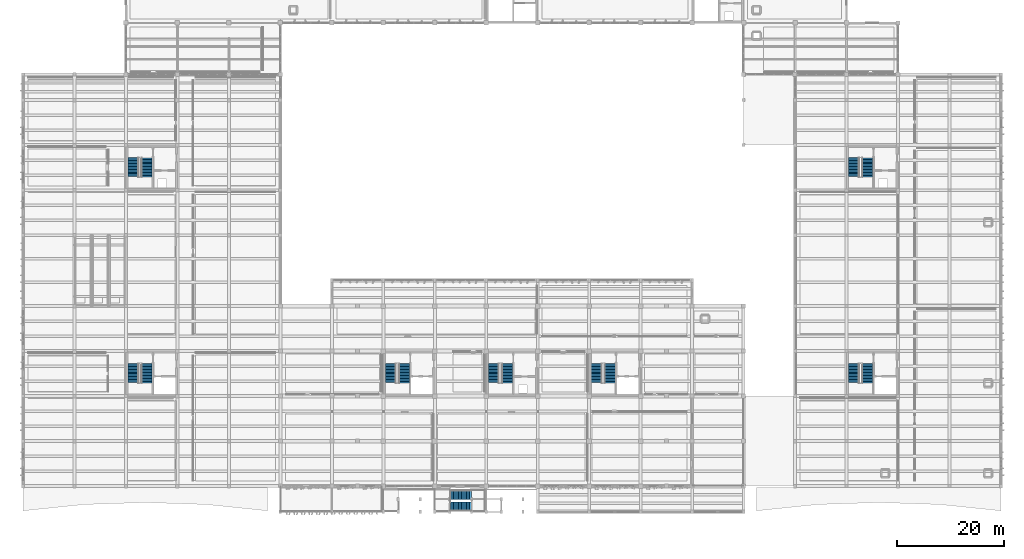
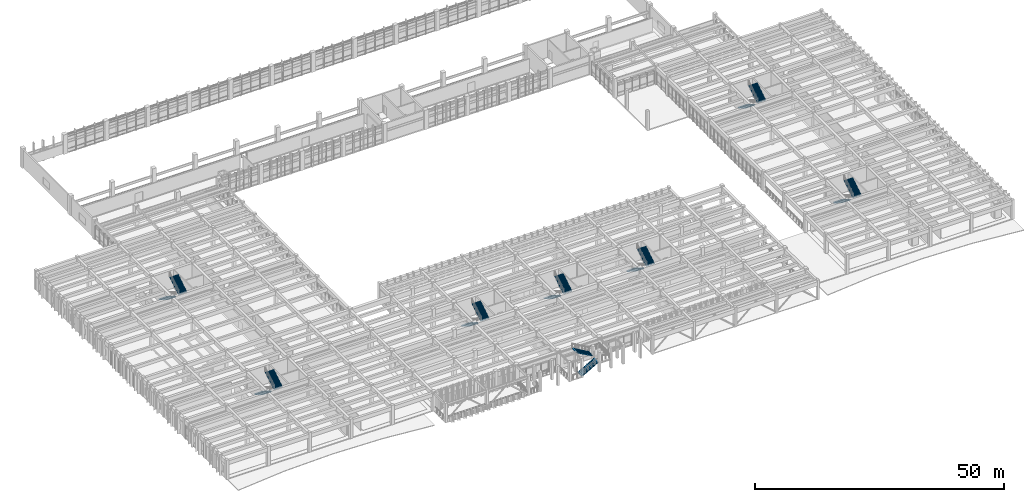
# One storey, part 72 of 86: 16 stair flights, 8 elements without a shape of their own.
"""IFC4 building model written with IfcOpenShell, lengths in metres."""

from ifc_helpers import new_model, si_unit, direction, frame, origin, place, context, subcontext, project, spatial, polyline, outline, extrude, material, type_object, element, aggregate, save


model = new_model("IFC4")

# Units and contexts
model_context = context("Model", 3, precision=1e-05, world=origin(), true_north=direction((0.0, 1.0)))
body_context = subcontext(model_context, "Body", "Model", "MODEL_VIEW")
ifc_project = project(units=[si_unit("LENGTHUNIT", "METRE"), si_unit("AREAUNIT", "SQUARE_METRE"), si_unit("VOLUMEUNIT", "CUBIC_METRE"), si_unit("PLANEANGLEUNIT", "RADIAN"), si_unit("MASSUNIT", "GRAM", prefix="KILO")], contexts=[model_context])

# Site, building, storey
site_placement = place(None, origin())
site = spatial("IfcSite", under=ifc_project, at=site_placement, CompositionType="ELEMENT")
building_placement = place(site_placement, origin())
building = spatial("IfcBuilding", under=site, at=building_placement, Name="Kolvemor Railside Polytechnic", CompositionType="ELEMENT")
storey_placement = place(building_placement, frame((0.0, 0.0, 5.39990234375)))
storey = spatial("IfcBuildingStorey", under=building, at=storey_placement, Name="L01", CompositionType="ELEMENT", Elevation=5.39990234375)

# Stair, stair flights
ifc_material_1 = material(Name="Concrete C40/50", Category="concrete")
stair_type_1 = type_object("IfcStairType", Name="STR-CORE-480", PredefinedType="HALF_TURN_STAIR", material=ifc_material_1)
stair_1_placement = place(storey_placement, origin())
stair_1 = element("IfcStair", 1, at=stair_1_placement, inside=storey, type_object=stair_type_1, Name="Core Stair ST-1 (L01 to L02)", PredefinedType="HALF_TURN_STAIR")
ifc_material_2 = material(Name="Concrete C40/50", Category="concrete")
stair_flight_type_1 = type_object("IfcStairFlightType", Name="SFL-RC-200", PredefinedType="STRAIGHT", material=ifc_material_2)
stair_flight_1_placement = place(storey_placement, frame((68.580078125, 27.699951171875, 0.0), z_axis=(0.0, 0.0, 1.0), x_axis=(0.0, -1.0, 0.0)))
stair_flight_1 = element("IfcStairFlight", 2, at=stair_flight_1_placement, type_object=stair_flight_type_1, Name="ST-1-L01 flight 1", NumberOfRisers=14, NumberOfTreads=13, PredefinedType="STRAIGHT", RiserHeight=0.171428571, TreadLength=0.275, context=body_context, shape_type="SweptSolid", body=[
    extrude(outline(polyline([(0.0, 0.0), (0.0, 0.17138671875), (0.27490234375, 0.17138671875), (0.27490234375, 0.3427734375), (0.550048828125, 0.3427734375), (0.550048828125, 0.514404296875), (0.824951171875, 0.514404296875), (0.824951171875, 0.685791015625), (1.10009765625, 0.685791015625), (1.10009765625, 0.857177734375), (1.375, 0.857177734375), (1.375, 1.028564453125), (1.64990234375, 1.028564453125), (1.64990234375, 1.199951171875), (1.925048828125, 1.199951171875), (1.925048828125, 1.371337890625), (2.199951171875, 1.371337890625), (2.199951171875, 1.54296875), (2.47509765625, 1.54296875), (2.47509765625, 1.71435546875), (2.75, 1.71435546875), (2.75, 1.8857421875), (3.02490234375, 1.8857421875), (3.02490234375, 2.05712890625), (3.300048828125, 2.05712890625), (3.300048828125, 2.228515625), (3.574951171875, 2.228515625), (3.574951171875, 2.39990234375), (3.574951171875, 2.0166015625), (0.340087890625, 0.0), (0.0, 0.0)])), frame((0.0, 1.0, 0.0), z_axis=(0.0, -1.0, 0.0), x_axis=(1.0, 0.0, 0.0)), (0.0, 0.0, 1.0), 2.0),
])
stair_flight_2_placement = place(storey_placement, frame((71.080078125, 24.06494140625, 2.400146484375), z_axis=(0.0, 0.0, 1.0), x_axis=(0.0, 1.0, 0.0)))
stair_flight_2 = element("IfcStairFlight", 3, at=stair_flight_2_placement, type_object=stair_flight_type_1, Name="ST-1-L01 flight 2", NumberOfRisers=14, NumberOfTreads=13, PredefinedType="STRAIGHT", RiserHeight=0.171428571, TreadLength=0.275, context=body_context, shape_type="SweptSolid", body=[
    extrude(outline(polyline([(0.0, 0.0), (0.0, 0.17138671875), (0.27490234375, 0.17138671875), (0.27490234375, 0.3427734375), (0.550048828125, 0.3427734375), (0.550048828125, 0.514404296875), (0.824951171875, 0.514404296875), (0.824951171875, 0.685791015625), (1.10009765625, 0.685791015625), (1.10009765625, 0.857177734375), (1.375, 0.857177734375), (1.375, 1.028564453125), (1.64990234375, 1.028564453125), (1.64990234375, 1.199951171875), (1.925048828125, 1.199951171875), (1.925048828125, 1.371337890625), (2.199951171875, 1.371337890625), (2.199951171875, 1.54296875), (2.47509765625, 1.54296875), (2.47509765625, 1.71435546875), (2.75, 1.71435546875), (2.75, 1.8857421875), (3.02490234375, 1.8857421875), (3.02490234375, 2.05712890625), (3.300048828125, 2.05712890625), (3.300048828125, 2.228515625), (3.574951171875, 2.228515625), (3.574951171875, 2.39990234375), (3.574951171875, 2.0166015625), (0.340087890625, 0.0), (0.0, 0.0)])), frame((0.0, 1.0, 0.0), z_axis=(0.0, -1.0, 0.0), x_axis=(1.0, 0.0, 0.0)), (0.0, 0.0, 1.0), 2.0),
])
aggregate(stair_1, [stair_flight_1, stair_flight_2])

stair_2_placement = place(storey_placement, origin())
stair_2 = element("IfcStair", 4, at=stair_2_placement, inside=storey, type_object=stair_type_1, Name="Core Stair ST-2 (L01 to L02)", PredefinedType="HALF_TURN_STAIR")
stair_flight_3_placement = place(storey_placement, frame((106.97998046875, 27.699951171875, 0.0), z_axis=(0.0, 0.0, 1.0), x_axis=(0.0, -1.0, 0.0)))
stair_flight_3 = element("IfcStairFlight", 5, at=stair_flight_3_placement, type_object=stair_flight_type_1, Name="ST-2-L01 flight 1", NumberOfRisers=14, NumberOfTreads=13, PredefinedType="STRAIGHT", RiserHeight=0.171428571, TreadLength=0.275, context=body_context, shape_type="SweptSolid", body=[
    extrude(outline(polyline([(0.0, 0.0), (0.0, 0.17138671875), (0.27490234375, 0.17138671875), (0.27490234375, 0.3427734375), (0.550048828125, 0.3427734375), (0.550048828125, 0.514404296875), (0.824951171875, 0.514404296875), (0.824951171875, 0.685791015625), (1.10009765625, 0.685791015625), (1.10009765625, 0.857177734375), (1.375, 0.857177734375), (1.375, 1.028564453125), (1.64990234375, 1.028564453125), (1.64990234375, 1.199951171875), (1.925048828125, 1.199951171875), (1.925048828125, 1.371337890625), (2.199951171875, 1.371337890625), (2.199951171875, 1.54296875), (2.47509765625, 1.54296875), (2.47509765625, 1.71435546875), (2.75, 1.71435546875), (2.75, 1.8857421875), (3.02490234375, 1.8857421875), (3.02490234375, 2.05712890625), (3.300048828125, 2.05712890625), (3.300048828125, 2.228515625), (3.574951171875, 2.228515625), (3.574951171875, 2.39990234375), (3.574951171875, 2.0166015625), (0.340087890625, 0.0), (0.0, 0.0)])), frame((0.0, 1.0, 0.0), z_axis=(0.0, -1.0, 0.0), x_axis=(1.0, 0.0, 0.0)), (0.0, 0.0, 1.0), 2.0),
])
stair_flight_4_placement = place(storey_placement, frame((109.47998046875, 24.06494140625, 2.400146484375), z_axis=(0.0, 0.0, 1.0), x_axis=(0.0, 1.0, 0.0)))
stair_flight_4 = element("IfcStairFlight", 6, at=stair_flight_4_placement, type_object=stair_flight_type_1, Name="ST-2-L01 flight 2", NumberOfRisers=14, NumberOfTreads=13, PredefinedType="STRAIGHT", RiserHeight=0.171428571, TreadLength=0.275, context=body_context, shape_type="SweptSolid", body=[
    extrude(outline(polyline([(0.0, 0.0), (0.0, 0.17138671875), (0.27490234375, 0.17138671875), (0.27490234375, 0.3427734375), (0.550048828125, 0.3427734375), (0.550048828125, 0.514404296875), (0.824951171875, 0.514404296875), (0.824951171875, 0.685791015625), (1.10009765625, 0.685791015625), (1.10009765625, 0.857177734375), (1.375, 0.857177734375), (1.375, 1.028564453125), (1.64990234375, 1.028564453125), (1.64990234375, 1.199951171875), (1.925048828125, 1.199951171875), (1.925048828125, 1.371337890625), (2.199951171875, 1.371337890625), (2.199951171875, 1.54296875), (2.47509765625, 1.54296875), (2.47509765625, 1.71435546875), (2.75, 1.71435546875), (2.75, 1.8857421875), (3.02490234375, 1.8857421875), (3.02490234375, 2.05712890625), (3.300048828125, 2.05712890625), (3.300048828125, 2.228515625), (3.574951171875, 2.228515625), (3.574951171875, 2.39990234375), (3.574951171875, 2.0166015625), (0.340087890625, 0.0), (0.0, 0.0)])), frame((0.0, 1.0, 0.0), z_axis=(0.0, -1.0, 0.0), x_axis=(1.0, 0.0, 0.0)), (0.0, 0.0, 1.0), 2.0),
])
aggregate(stair_2, [stair_flight_3, stair_flight_4])

stair_3_placement = place(storey_placement, origin())
stair_3 = element("IfcStair", 7, at=stair_3_placement, inside=storey, type_object=stair_type_1, Name="Core Stair ST-3 (L01 to L02)", PredefinedType="HALF_TURN_STAIR")
stair_flight_5_placement = place(storey_placement, frame((87.780029296875, 27.699951171875, 0.0), z_axis=(0.0, 0.0, 1.0), x_axis=(0.0, -1.0, 0.0)))
stair_flight_5 = element("IfcStairFlight", 8, at=stair_flight_5_placement, type_object=stair_flight_type_1, Name="ST-3-L01 flight 1", NumberOfRisers=14, NumberOfTreads=13, PredefinedType="STRAIGHT", RiserHeight=0.171428571, TreadLength=0.275, context=body_context, shape_type="SweptSolid", body=[
    extrude(outline(polyline([(0.0, 0.0), (0.0, 0.17138671875), (0.27490234375, 0.17138671875), (0.27490234375, 0.3427734375), (0.550048828125, 0.3427734375), (0.550048828125, 0.514404296875), (0.824951171875, 0.514404296875), (0.824951171875, 0.685791015625), (1.10009765625, 0.685791015625), (1.10009765625, 0.857177734375), (1.375, 0.857177734375), (1.375, 1.028564453125), (1.64990234375, 1.028564453125), (1.64990234375, 1.199951171875), (1.925048828125, 1.199951171875), (1.925048828125, 1.371337890625), (2.199951171875, 1.371337890625), (2.199951171875, 1.54296875), (2.47509765625, 1.54296875), (2.47509765625, 1.71435546875), (2.75, 1.71435546875), (2.75, 1.8857421875), (3.02490234375, 1.8857421875), (3.02490234375, 2.05712890625), (3.300048828125, 2.05712890625), (3.300048828125, 2.228515625), (3.574951171875, 2.228515625), (3.574951171875, 2.39990234375), (3.574951171875, 2.0166015625), (0.340087890625, 0.0), (0.0, 0.0)])), frame((0.0, 1.0, 0.0), z_axis=(0.0, -1.0, 0.0), x_axis=(1.0, 0.0, 0.0)), (0.0, 0.0, 1.0), 2.0),
])
stair_flight_6_placement = place(storey_placement, frame((90.280029296875, 24.06494140625, 2.400146484375), z_axis=(0.0, 0.0, 1.0), x_axis=(0.0, 1.0, 0.0)))
stair_flight_6 = element("IfcStairFlight", 9, at=stair_flight_6_placement, type_object=stair_flight_type_1, Name="ST-3-L01 flight 2", NumberOfRisers=14, NumberOfTreads=13, PredefinedType="STRAIGHT", RiserHeight=0.171428571, TreadLength=0.275, context=body_context, shape_type="SweptSolid", body=[
    extrude(outline(polyline([(0.0, 0.0), (0.0, 0.17138671875), (0.27490234375, 0.17138671875), (0.27490234375, 0.3427734375), (0.550048828125, 0.3427734375), (0.550048828125, 0.514404296875), (0.824951171875, 0.514404296875), (0.824951171875, 0.685791015625), (1.10009765625, 0.685791015625), (1.10009765625, 0.857177734375), (1.375, 0.857177734375), (1.375, 1.028564453125), (1.64990234375, 1.028564453125), (1.64990234375, 1.199951171875), (1.925048828125, 1.199951171875), (1.925048828125, 1.371337890625), (2.199951171875, 1.371337890625), (2.199951171875, 1.54296875), (2.47509765625, 1.54296875), (2.47509765625, 1.71435546875), (2.75, 1.71435546875), (2.75, 1.8857421875), (3.02490234375, 1.8857421875), (3.02490234375, 2.05712890625), (3.300048828125, 2.05712890625), (3.300048828125, 2.228515625), (3.574951171875, 2.228515625), (3.574951171875, 2.39990234375), (3.574951171875, 2.0166015625), (0.340087890625, 0.0), (0.0, 0.0)])), frame((0.0, 1.0, 0.0), z_axis=(0.0, -1.0, 0.0), x_axis=(1.0, 0.0, 0.0)), (0.0, 0.0, 1.0), 2.0),
])
aggregate(stair_3, [stair_flight_5, stair_flight_6])

stair_4_placement = place(storey_placement, origin())
stair_4 = element("IfcStair", 10, at=stair_4_placement, inside=storey, type_object=stair_type_1, Name="Core Stair ST-4 (L01 to L02)", PredefinedType="HALF_TURN_STAIR")
stair_flight_7_placement = place(storey_placement, frame((20.580078125, 27.699951171875, 0.0), z_axis=(0.0, 0.0, 1.0), x_axis=(0.0, -1.0, 0.0)))
stair_flight_7 = element("IfcStairFlight", 11, at=stair_flight_7_placement, type_object=stair_flight_type_1, Name="ST-4-L01 flight 1", NumberOfRisers=14, NumberOfTreads=13, PredefinedType="STRAIGHT", RiserHeight=0.171428571, TreadLength=0.275, context=body_context, shape_type="SweptSolid", body=[
    extrude(outline(polyline([(0.0, 0.0), (0.0, 0.17138671875), (0.27490234375, 0.17138671875), (0.27490234375, 0.3427734375), (0.550048828125, 0.3427734375), (0.550048828125, 0.514404296875), (0.824951171875, 0.514404296875), (0.824951171875, 0.685791015625), (1.10009765625, 0.685791015625), (1.10009765625, 0.857177734375), (1.375, 0.857177734375), (1.375, 1.028564453125), (1.64990234375, 1.028564453125), (1.64990234375, 1.199951171875), (1.925048828125, 1.199951171875), (1.925048828125, 1.371337890625), (2.199951171875, 1.371337890625), (2.199951171875, 1.54296875), (2.47509765625, 1.54296875), (2.47509765625, 1.71435546875), (2.75, 1.71435546875), (2.75, 1.8857421875), (3.02490234375, 1.8857421875), (3.02490234375, 2.05712890625), (3.300048828125, 2.05712890625), (3.300048828125, 2.228515625), (3.574951171875, 2.228515625), (3.574951171875, 2.39990234375), (3.574951171875, 2.0166015625), (0.340087890625, 0.0), (0.0, 0.0)])), frame((0.0, 1.0, 0.0), z_axis=(0.0, -1.0, 0.0), x_axis=(1.0, 0.0, 0.0)), (0.0, 0.0, 1.0), 2.0),
])
stair_flight_8_placement = place(storey_placement, frame((23.080078125, 24.06494140625, 2.400146484375), z_axis=(0.0, 0.0, 1.0), x_axis=(0.0, 1.0, 0.0)))
stair_flight_8 = element("IfcStairFlight", 12, at=stair_flight_8_placement, type_object=stair_flight_type_1, Name="ST-4-L01 flight 2", NumberOfRisers=14, NumberOfTreads=13, PredefinedType="STRAIGHT", RiserHeight=0.171428571, TreadLength=0.275, context=body_context, shape_type="SweptSolid", body=[
    extrude(outline(polyline([(0.0, 0.0), (0.0, 0.17138671875), (0.27490234375, 0.17138671875), (0.27490234375, 0.3427734375), (0.550048828125, 0.3427734375), (0.550048828125, 0.514404296875), (0.824951171875, 0.514404296875), (0.824951171875, 0.685791015625), (1.10009765625, 0.685791015625), (1.10009765625, 0.857177734375), (1.375, 0.857177734375), (1.375, 1.028564453125), (1.64990234375, 1.028564453125), (1.64990234375, 1.199951171875), (1.925048828125, 1.199951171875), (1.925048828125, 1.371337890625), (2.199951171875, 1.371337890625), (2.199951171875, 1.54296875), (2.47509765625, 1.54296875), (2.47509765625, 1.71435546875), (2.75, 1.71435546875), (2.75, 1.8857421875), (3.02490234375, 1.8857421875), (3.02490234375, 2.05712890625), (3.300048828125, 2.05712890625), (3.300048828125, 2.228515625), (3.574951171875, 2.228515625), (3.574951171875, 2.39990234375), (3.574951171875, 2.0166015625), (0.340087890625, 0.0), (0.0, 0.0)])), frame((0.0, 1.0, 0.0), z_axis=(0.0, -1.0, 0.0), x_axis=(1.0, 0.0, 0.0)), (0.0, 0.0, 1.0), 2.0),
])
aggregate(stair_4, [stair_flight_7, stair_flight_8])

stair_5_placement = place(storey_placement, origin())
stair_5 = element("IfcStair", 13, at=stair_5_placement, inside=storey, type_object=stair_type_1, Name="Core Stair ST-5 (L01 to L02)", PredefinedType="HALF_TURN_STAIR")
stair_flight_9_placement = place(storey_placement, frame((20.580078125, 66.10009765625, 0.0), z_axis=(0.0, 0.0, 1.0), x_axis=(0.0, -1.0, 0.0)))
stair_flight_9 = element("IfcStairFlight", 14, at=stair_flight_9_placement, type_object=stair_flight_type_1, Name="ST-5-L01 flight 1", NumberOfRisers=14, NumberOfTreads=13, PredefinedType="STRAIGHT", RiserHeight=0.171428571, TreadLength=0.275, context=body_context, shape_type="SweptSolid", body=[
    extrude(outline(polyline([(0.0, 0.0), (0.0, 0.17138671875), (0.27490234375, 0.17138671875), (0.27490234375, 0.3427734375), (0.550048828125, 0.3427734375), (0.550048828125, 0.514404296875), (0.824951171875, 0.514404296875), (0.824951171875, 0.685791015625), (1.10009765625, 0.685791015625), (1.10009765625, 0.857177734375), (1.375, 0.857177734375), (1.375, 1.028564453125), (1.64990234375, 1.028564453125), (1.64990234375, 1.199951171875), (1.925048828125, 1.199951171875), (1.925048828125, 1.371337890625), (2.199951171875, 1.371337890625), (2.199951171875, 1.54296875), (2.47509765625, 1.54296875), (2.47509765625, 1.71435546875), (2.75, 1.71435546875), (2.75, 1.8857421875), (3.02490234375, 1.8857421875), (3.02490234375, 2.05712890625), (3.300048828125, 2.05712890625), (3.300048828125, 2.228515625), (3.574951171875, 2.228515625), (3.574951171875, 2.39990234375), (3.574951171875, 2.0166015625), (0.340087890625, 0.0), (0.0, 0.0)])), frame((0.0, 1.0, 0.0), z_axis=(0.0, -1.0, 0.0), x_axis=(1.0, 0.0, 0.0)), (0.0, 0.0, 1.0), 2.0),
])
stair_flight_10_placement = place(storey_placement, frame((23.080078125, 62.465087890625, 2.400146484375), z_axis=(0.0, 0.0, 1.0), x_axis=(0.0, 1.0, 0.0)))
stair_flight_10 = element("IfcStairFlight", 15, at=stair_flight_10_placement, type_object=stair_flight_type_1, Name="ST-5-L01 flight 2", NumberOfRisers=14, NumberOfTreads=13, PredefinedType="STRAIGHT", RiserHeight=0.171428571, TreadLength=0.275, context=body_context, shape_type="SweptSolid", body=[
    extrude(outline(polyline([(0.0, 0.0), (0.0, 0.17138671875), (0.27490234375, 0.17138671875), (0.27490234375, 0.3427734375), (0.550048828125, 0.3427734375), (0.550048828125, 0.514404296875), (0.824951171875, 0.514404296875), (0.824951171875, 0.685791015625), (1.10009765625, 0.685791015625), (1.10009765625, 0.857177734375), (1.375, 0.857177734375), (1.375, 1.028564453125), (1.64990234375, 1.028564453125), (1.64990234375, 1.199951171875), (1.925048828125, 1.199951171875), (1.925048828125, 1.371337890625), (2.199951171875, 1.371337890625), (2.199951171875, 1.54296875), (2.47509765625, 1.54296875), (2.47509765625, 1.71435546875), (2.75, 1.71435546875), (2.75, 1.8857421875), (3.02490234375, 1.8857421875), (3.02490234375, 2.05712890625), (3.300048828125, 2.05712890625), (3.300048828125, 2.228515625), (3.574951171875, 2.228515625), (3.574951171875, 2.39990234375), (3.574951171875, 2.0166015625), (0.340087890625, 0.0), (0.0, 0.0)])), frame((0.0, 1.0, 0.0), z_axis=(0.0, -1.0, 0.0), x_axis=(1.0, 0.0, 0.0)), (0.0, 0.0, 1.0), 2.0),
])
aggregate(stair_5, [stair_flight_9, stair_flight_10])

stair_6_placement = place(storey_placement, origin())
stair_6 = element("IfcStair", 16, at=stair_6_placement, inside=storey, type_object=stair_type_1, Name="Core Stair ST-6 (L01 to L02)", PredefinedType="HALF_TURN_STAIR")
stair_flight_11_placement = place(storey_placement, frame((154.97998046875, 27.699951171875, 0.0), z_axis=(0.0, 0.0, 1.0), x_axis=(0.0, -1.0, 0.0)))
stair_flight_11 = element("IfcStairFlight", 17, at=stair_flight_11_placement, type_object=stair_flight_type_1, Name="ST-6-L01 flight 1", NumberOfRisers=14, NumberOfTreads=13, PredefinedType="STRAIGHT", RiserHeight=0.171428571, TreadLength=0.275, context=body_context, shape_type="SweptSolid", body=[
    extrude(outline(polyline([(0.0, 0.0), (0.0, 0.17138671875), (0.27490234375, 0.17138671875), (0.27490234375, 0.3427734375), (0.550048828125, 0.3427734375), (0.550048828125, 0.514404296875), (0.824951171875, 0.514404296875), (0.824951171875, 0.685791015625), (1.10009765625, 0.685791015625), (1.10009765625, 0.857177734375), (1.375, 0.857177734375), (1.375, 1.028564453125), (1.64990234375, 1.028564453125), (1.64990234375, 1.199951171875), (1.925048828125, 1.199951171875), (1.925048828125, 1.371337890625), (2.199951171875, 1.371337890625), (2.199951171875, 1.54296875), (2.47509765625, 1.54296875), (2.47509765625, 1.71435546875), (2.75, 1.71435546875), (2.75, 1.8857421875), (3.02490234375, 1.8857421875), (3.02490234375, 2.05712890625), (3.300048828125, 2.05712890625), (3.300048828125, 2.228515625), (3.574951171875, 2.228515625), (3.574951171875, 2.39990234375), (3.574951171875, 2.0166015625), (0.340087890625, 0.0), (0.0, 0.0)])), frame((0.0, 1.0, 0.0), z_axis=(0.0, -1.0, 0.0), x_axis=(1.0, 0.0, 0.0)), (0.0, 0.0, 1.0), 2.0),
])
stair_flight_12_placement = place(storey_placement, frame((157.47998046875, 24.06494140625, 2.400146484375), z_axis=(0.0, 0.0, 1.0), x_axis=(0.0, 1.0, 0.0)))
stair_flight_12 = element("IfcStairFlight", 18, at=stair_flight_12_placement, type_object=stair_flight_type_1, Name="ST-6-L01 flight 2", NumberOfRisers=14, NumberOfTreads=13, PredefinedType="STRAIGHT", RiserHeight=0.171428571, TreadLength=0.275, context=body_context, shape_type="SweptSolid", body=[
    extrude(outline(polyline([(0.0, 0.0), (0.0, 0.17138671875), (0.27490234375, 0.17138671875), (0.27490234375, 0.3427734375), (0.550048828125, 0.3427734375), (0.550048828125, 0.514404296875), (0.824951171875, 0.514404296875), (0.824951171875, 0.685791015625), (1.10009765625, 0.685791015625), (1.10009765625, 0.857177734375), (1.375, 0.857177734375), (1.375, 1.028564453125), (1.64990234375, 1.028564453125), (1.64990234375, 1.199951171875), (1.925048828125, 1.199951171875), (1.925048828125, 1.371337890625), (2.199951171875, 1.371337890625), (2.199951171875, 1.54296875), (2.47509765625, 1.54296875), (2.47509765625, 1.71435546875), (2.75, 1.71435546875), (2.75, 1.8857421875), (3.02490234375, 1.8857421875), (3.02490234375, 2.05712890625), (3.300048828125, 2.05712890625), (3.300048828125, 2.228515625), (3.574951171875, 2.228515625), (3.574951171875, 2.39990234375), (3.574951171875, 2.0166015625), (0.340087890625, 0.0), (0.0, 0.0)])), frame((0.0, 1.0, 0.0), z_axis=(0.0, -1.0, 0.0), x_axis=(1.0, 0.0, 0.0)), (0.0, 0.0, 1.0), 2.0),
])
aggregate(stair_6, [stair_flight_11, stair_flight_12])

stair_7_placement = place(storey_placement, origin())
stair_7 = element("IfcStair", 19, at=stair_7_placement, inside=storey, type_object=stair_type_1, Name="Core Stair ST-7 (L01 to L02)", PredefinedType="HALF_TURN_STAIR")
stair_flight_13_placement = place(storey_placement, frame((154.97998046875, 66.10009765625, 0.0), z_axis=(0.0, 0.0, 1.0), x_axis=(0.0, -1.0, 0.0)))
stair_flight_13 = element("IfcStairFlight", 20, at=stair_flight_13_placement, type_object=stair_flight_type_1, Name="ST-7-L01 flight 1", NumberOfRisers=14, NumberOfTreads=13, PredefinedType="STRAIGHT", RiserHeight=0.171428571, TreadLength=0.275, context=body_context, shape_type="SweptSolid", body=[
    extrude(outline(polyline([(0.0, 0.0), (0.0, 0.17138671875), (0.27490234375, 0.17138671875), (0.27490234375, 0.3427734375), (0.550048828125, 0.3427734375), (0.550048828125, 0.514404296875), (0.824951171875, 0.514404296875), (0.824951171875, 0.685791015625), (1.10009765625, 0.685791015625), (1.10009765625, 0.857177734375), (1.375, 0.857177734375), (1.375, 1.028564453125), (1.64990234375, 1.028564453125), (1.64990234375, 1.199951171875), (1.925048828125, 1.199951171875), (1.925048828125, 1.371337890625), (2.199951171875, 1.371337890625), (2.199951171875, 1.54296875), (2.47509765625, 1.54296875), (2.47509765625, 1.71435546875), (2.75, 1.71435546875), (2.75, 1.8857421875), (3.02490234375, 1.8857421875), (3.02490234375, 2.05712890625), (3.300048828125, 2.05712890625), (3.300048828125, 2.228515625), (3.574951171875, 2.228515625), (3.574951171875, 2.39990234375), (3.574951171875, 2.0166015625), (0.340087890625, 0.0), (0.0, 0.0)])), frame((0.0, 1.0, 0.0), z_axis=(0.0, -1.0, 0.0), x_axis=(1.0, 0.0, 0.0)), (0.0, 0.0, 1.0), 2.0),
])
stair_flight_14_placement = place(storey_placement, frame((157.47998046875, 62.465087890625, 2.400146484375), z_axis=(0.0, 0.0, 1.0), x_axis=(0.0, 1.0, 0.0)))
stair_flight_14 = element("IfcStairFlight", 21, at=stair_flight_14_placement, type_object=stair_flight_type_1, Name="ST-7-L01 flight 2", NumberOfRisers=14, NumberOfTreads=13, PredefinedType="STRAIGHT", RiserHeight=0.171428571, TreadLength=0.275, context=body_context, shape_type="SweptSolid", body=[
    extrude(outline(polyline([(0.0, 0.0), (0.0, 0.17138671875), (0.27490234375, 0.17138671875), (0.27490234375, 0.3427734375), (0.550048828125, 0.3427734375), (0.550048828125, 0.514404296875), (0.824951171875, 0.514404296875), (0.824951171875, 0.685791015625), (1.10009765625, 0.685791015625), (1.10009765625, 0.857177734375), (1.375, 0.857177734375), (1.375, 1.028564453125), (1.64990234375, 1.028564453125), (1.64990234375, 1.199951171875), (1.925048828125, 1.199951171875), (1.925048828125, 1.371337890625), (2.199951171875, 1.371337890625), (2.199951171875, 1.54296875), (2.47509765625, 1.54296875), (2.47509765625, 1.71435546875), (2.75, 1.71435546875), (2.75, 1.8857421875), (3.02490234375, 1.8857421875), (3.02490234375, 2.05712890625), (3.300048828125, 2.05712890625), (3.300048828125, 2.228515625), (3.574951171875, 2.228515625), (3.574951171875, 2.39990234375), (3.574951171875, 2.0166015625), (0.340087890625, 0.0), (0.0, 0.0)])), frame((0.0, 1.0, 0.0), z_axis=(0.0, -1.0, 0.0), x_axis=(1.0, 0.0, 0.0)), (0.0, 0.0, 1.0), 2.0),
])
aggregate(stair_7, [stair_flight_13, stair_flight_14])

ifc_material_3 = material(Name="Steel S355", Category="steel")
stair_type_2 = type_object("IfcStairType", Name="STR-EXT-ZIG", PredefinedType="HALF_TURN_STAIR", material=ifc_material_3)
stair_8_placement = place(storey_placement, origin())
stair_8 = element("IfcStair", 22, at=stair_8_placement, inside=storey, type_object=stair_type_2, Name="External Zigzag Terrace Stair (L01 to L02)", PredefinedType="HALF_TURN_STAIR")
ifc_material_4 = material(Name="Steel S355", Category="steel")
stair_flight_type_2 = type_object("IfcStairFlightType", Name="SFL-ST-168", PredefinedType="STRAIGHT", material=ifc_material_4)
stair_flight_15_placement = place(storey_placement, frame((79.699951171875, 1.0, 0.0), z_axis=(0.0, 0.0, 1.0), x_axis=(1.0, 0.0, 0.0)))
stair_flight_15 = element("IfcStairFlight", 23, at=stair_flight_15_placement, type_object=stair_flight_type_2, Name="ST-EXT-L01 flight 1", NumberOfRisers=14, NumberOfTreads=13, PredefinedType="STRAIGHT", RiserHeight=0.171428571, TreadLength=0.3, context=body_context, shape_type="SweptSolid", body=[
    extrude(outline(polyline([(0.0, 0.0), (0.0, 0.17138671875), (0.300048828125, 0.17138671875), (0.300048828125, 0.3427734375), (0.60009765625, 0.3427734375), (0.60009765625, 0.514404296875), (0.89990234375, 0.514404296875), (0.89990234375, 0.685791015625), (1.199951171875, 0.685791015625), (1.199951171875, 0.857177734375), (1.5, 0.857177734375), (1.5, 1.028564453125), (1.800048828125, 1.028564453125), (1.800048828125, 1.199951171875), (2.10009765625, 1.199951171875), (2.10009765625, 1.371337890625), (2.39990234375, 1.371337890625), (2.39990234375, 1.54296875), (2.699951171875, 1.54296875), (2.699951171875, 1.71435546875), (3.0, 1.71435546875), (3.0, 1.8857421875), (3.300048828125, 1.8857421875), (3.300048828125, 2.05712890625), (3.60009765625, 2.05712890625), (3.60009765625, 2.228515625), (3.89990234375, 2.228515625), (3.89990234375, 2.39990234375), (3.89990234375, 2.032958984375), (0.342529296875, 0.0), (0.0, 0.0)])), frame((0.0, 0.83984375, 0.0), z_axis=(0.0, -1.0, 0.0), x_axis=(1.0, 0.0, 0.0)), (0.0, 0.0, 1.0), 1.679931640625),
])
stair_flight_16_placement = place(storey_placement, frame((83.60009765625, 3.199951171875, 2.400146484375), z_axis=(0.0, 0.0, 1.0), x_axis=(-1.0, 0.0, 0.0)))
stair_flight_16 = element("IfcStairFlight", 24, at=stair_flight_16_placement, type_object=stair_flight_type_2, Name="ST-EXT-L01 flight 2", NumberOfRisers=14, NumberOfTreads=13, PredefinedType="STRAIGHT", RiserHeight=0.171428571, TreadLength=0.3, context=body_context, shape_type="SweptSolid", body=[
    extrude(outline(polyline([(0.0, 0.0), (0.0, 0.17138671875), (0.300048828125, 0.17138671875), (0.300048828125, 0.3427734375), (0.60009765625, 0.3427734375), (0.60009765625, 0.514404296875), (0.89990234375, 0.514404296875), (0.89990234375, 0.685791015625), (1.199951171875, 0.685791015625), (1.199951171875, 0.857177734375), (1.5, 0.857177734375), (1.5, 1.028564453125), (1.800048828125, 1.028564453125), (1.800048828125, 1.199951171875), (2.10009765625, 1.199951171875), (2.10009765625, 1.371337890625), (2.39990234375, 1.371337890625), (2.39990234375, 1.54296875), (2.699951171875, 1.54296875), (2.699951171875, 1.71435546875), (3.0, 1.71435546875), (3.0, 1.8857421875), (3.300048828125, 1.8857421875), (3.300048828125, 2.05712890625), (3.60009765625, 2.05712890625), (3.60009765625, 2.228515625), (3.89990234375, 2.228515625), (3.89990234375, 2.39990234375), (3.89990234375, 2.032958984375), (0.342529296875, 0.0), (0.0, 0.0)])), frame((0.0, 0.83984375, 0.0), z_axis=(0.0, -1.0, 0.0), x_axis=(1.0, 0.0, 0.0)), (0.0, 0.0, 1.0), 1.679931640625),
])
aggregate(stair_8, [stair_flight_15, stair_flight_16])

save(model, "model.ifc")
